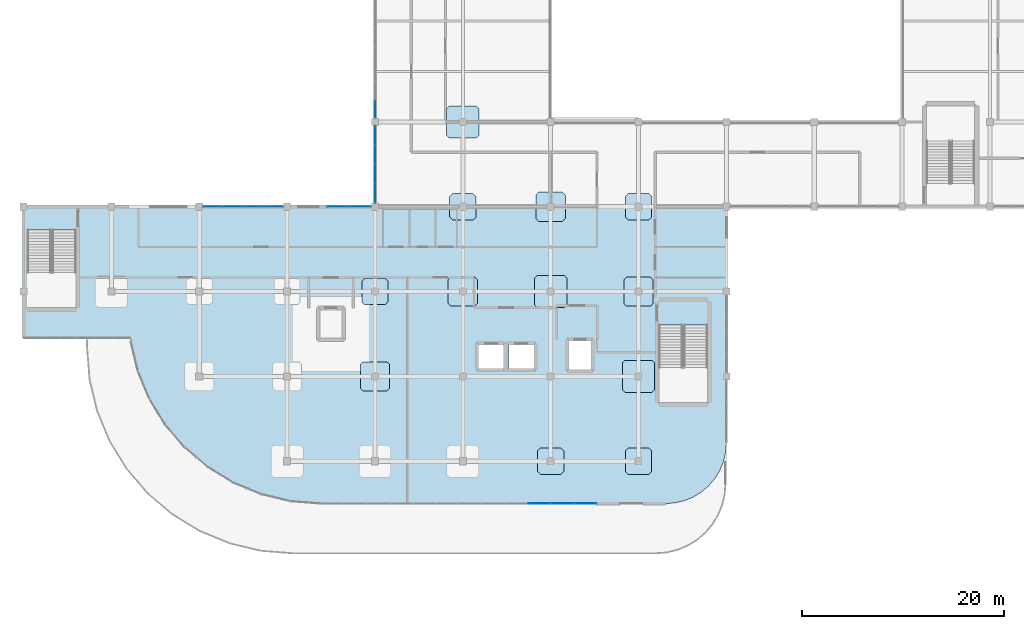
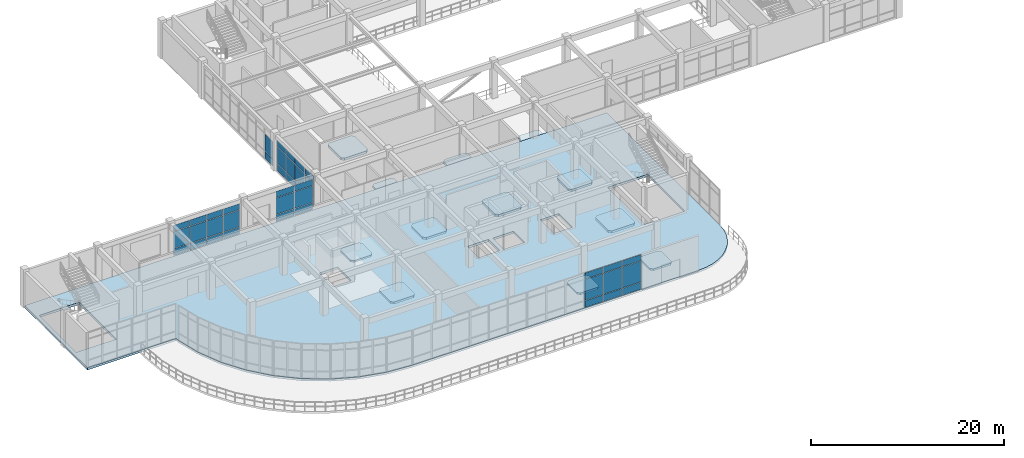
# One storey, part 53 of 76: 41 plates, 13 slabs, 5 elements without a shape of their own.
"""IFC4 building model written with IfcOpenShell, lengths in metres."""

from ifc_helpers import new_model, si_unit, derived_unit, direction, frame, origin, origin_2d, place, context, subcontext, project, spatial, polyline, rectangle, outline, extrude, material, layer, layer_set, type_object, element, aggregate, save


model = new_model("IFC4")

# Units and contexts
model_context = context("Model", 3, precision=1e-05, world=origin(), true_north=direction((0.0, 1.0)))
body_context = subcontext(model_context, "Body", "Model", "MODEL_VIEW")
ifc_project = project(units=[si_unit("LENGTHUNIT", "METRE"), si_unit("AREAUNIT", "SQUARE_METRE"), si_unit("VOLUMEUNIT", "CUBIC_METRE"), si_unit("PLANEANGLEUNIT", "RADIAN"), si_unit("MASSUNIT", "GRAM", prefix="KILO"), derived_unit("THERMALTRANSMITTANCEUNIT", [(si_unit("MASSUNIT", "GRAM", prefix="KILO"), 1), (si_unit("TIMEUNIT", "SECOND"), -3), (si_unit("THERMODYNAMICTEMPERATUREUNIT", "KELVIN"), -1)])], contexts=[model_context])

# Site, building, storey
site_placement = place(None, origin())
site = spatial("IfcSite", under=ifc_project, at=site_placement, CompositionType="ELEMENT")
building_placement = place(site_placement, origin())
building = spatial("IfcBuilding", under=site, at=building_placement, Name="Qinzheling Arcade Emporium", CompositionType="ELEMENT")
storey_placement = place(building_placement, frame((0.0, 0.0, 26.699951171875)))
storey = spatial("IfcBuildingStorey", under=building, at=storey_placement, Name="L06", CompositionType="ELEMENT", Elevation=26.699951171875)

# Slabs
ifc_material_1 = material(Name="Concrete C40", Category="concrete")
ifc_layer_1 = layer(ifc_material_1, 0.235107421875, Name="Concrete C40", Category="concrete")
ifc_layer_set_1 = layer_set([ifc_layer_1], Name="Concrete C40")
slab_type_1 = type_object("IfcSlabType", Name="Column Head Drop Panel 2600x2600x235 C40", PredefinedType="USERDEFINED", material=ifc_layer_set_1)
slab_1_placement = place(storey_placement, frame((0.0, 0.0, -0.514892578125)))
element("IfcSlab", 1, at=slab_1_placement, inside=storey, type_object=slab_type_1, Name="Column Drop Panel DP-L06-5-E", ObjectType="DROP_PANEL", PredefinedType="USERDEFINED", context=body_context, shape_type="SweptSolid", body=[
    extrude(outline(polyline([(33.780029296875, 32.300048828125), (35.820068359375, 32.300048828125), (36.10009765625, 32.580078125), (36.10009765625, 34.6201171875), (35.820068359375, 34.89990234375), (33.780029296875, 34.89990234375), (33.5, 34.6201171875), (33.5, 32.580078125), (33.780029296875, 32.300048828125)])), origin(), (0.0, 0.0, 1.0), 0.23486328125),
])
slab_2_placement = place(storey_placement, frame((0.0, 0.0, -0.514892578125)))
element("IfcSlab", 2, at=slab_2_placement, inside=storey, type_object=slab_type_1, Name="Column Drop Panel DP-L06-6-F", ObjectType="DROP_PANEL", PredefinedType="USERDEFINED", context=body_context, shape_type="SweptSolid", body=[
    extrude(outline(polyline([(42.47998046875, 40.699951171875), (44.52001953125, 40.699951171875), (44.800048828125, 40.97998046875), (44.800048828125, 43.02001953125), (44.52001953125, 43.300048828125), (42.47998046875, 43.300048828125), (42.199951171875, 43.02001953125), (42.199951171875, 40.97998046875), (42.47998046875, 40.699951171875)])), origin(), (0.0, 0.0, 1.0), 0.23486328125),
])
slab_3_placement = place(storey_placement, frame((0.0, 0.0, -0.514892578125)))
element("IfcSlab", 3, at=slab_3_placement, inside=storey, type_object=slab_type_1, Name="Column Drop Panel DP-L06-7-C", ObjectType="DROP_PANEL", PredefinedType="USERDEFINED", context=body_context, shape_type="SweptSolid", body=[
    extrude(outline(polyline([(51.179931640625, 15.5), (53.219970703125, 15.5), (53.5, 15.780029296875), (53.5, 17.820068359375), (53.219970703125, 18.10009765625), (51.179931640625, 18.10009765625), (50.89990234375, 17.820068359375), (50.89990234375, 15.780029296875), (51.179931640625, 15.5)])), origin(), (0.0, 0.0, 1.0), 0.23486328125),
])
slab_4_placement = place(storey_placement, frame((0.0, 0.0, -0.514892578125)))
element("IfcSlab", 4, at=slab_4_placement, inside=storey, type_object=slab_type_1, Name="Column Drop Panel DP-L06-8-C", ObjectType="DROP_PANEL", PredefinedType="USERDEFINED", context=body_context, shape_type="SweptSolid", body=[
    extrude(outline(polyline([(59.8798828125, 15.5), (61.919921875, 15.5), (62.199951171875, 15.780029296875), (62.199951171875, 17.820068359375), (61.919921875, 18.10009765625), (59.8798828125, 18.10009765625), (59.60009765625, 17.820068359375), (59.60009765625, 15.780029296875), (59.8798828125, 15.5)])), origin(), (0.0, 0.0, 1.0), 0.23486328125),
])
slab_5_placement = place(storey_placement, frame((0.0, 0.0, -0.514892578125)))
element("IfcSlab", 5, at=slab_5_placement, inside=storey, type_object=slab_type_1, Name="Column Drop Panel DP-L06-8-F", ObjectType="DROP_PANEL", PredefinedType="USERDEFINED", context=body_context, shape_type="SweptSolid", body=[
    extrude(outline(polyline([(59.8798828125, 40.699951171875), (61.919921875, 40.699951171875), (62.199951171875, 40.97998046875), (62.199951171875, 43.02001953125), (61.919921875, 43.300048828125), (59.8798828125, 43.300048828125), (59.60009765625, 43.02001953125), (59.60009765625, 40.97998046875), (59.8798828125, 40.699951171875)])), origin(), (0.0, 0.0, 1.0), 0.23486328125),
])
ifc_layer_2 = layer(ifc_material_1, 0.27001953125, Name="Concrete C40", Category="concrete")
ifc_layer_set_2 = layer_set([ifc_layer_2], Name="Concrete C40")
slab_type_2 = type_object("IfcSlabType", Name="Column Head Drop Panel 2900x2900x270 C40", PredefinedType="USERDEFINED", material=ifc_layer_set_2)
slab_6_placement = place(storey_placement, frame((0.0, 0.0, -0.550048828125)))
element("IfcSlab", 6, at=slab_6_placement, inside=storey, type_object=slab_type_2, Name="Column Drop Panel DP-L06-5-D", ObjectType="DROP_PANEL", PredefinedType="USERDEFINED", context=body_context, shape_type="SweptSolid", body=[
    extrude(outline(polyline([(33.6298828125, 23.75), (35.969970703125, 23.75), (36.25, 24.030029296875), (36.25, 26.3701171875), (35.969970703125, 26.64990234375), (33.6298828125, 26.64990234375), (33.35009765625, 26.3701171875), (33.35009765625, 24.030029296875), (33.6298828125, 23.75)])), origin(), (0.0, 0.0, 1.0), 0.27001953125),
])
slab_7_placement = place(storey_placement, frame((0.0, 0.0, -0.550048828125)))
element("IfcSlab", 7, at=slab_7_placement, inside=storey, type_object=slab_type_2, Name="Column Drop Panel DP-L06-6-E", ObjectType="DROP_PANEL", PredefinedType="USERDEFINED", context=body_context, shape_type="SweptSolid", body=[
    extrude(outline(polyline([(42.330078125, 32.14990234375), (44.669921875, 32.14990234375), (44.949951171875, 32.429931640625), (44.949951171875, 34.77001953125), (44.669921875, 35.050048828125), (42.330078125, 35.050048828125), (42.050048828125, 34.77001953125), (42.050048828125, 32.429931640625), (42.330078125, 32.14990234375)])), origin(), (0.0, 0.0, 1.0), 0.27001953125),
])
slab_8_placement = place(storey_placement, frame((0.0, 0.0, -0.550048828125)))
element("IfcSlab", 8, at=slab_8_placement, inside=storey, type_object=slab_type_2, Name="Column Drop Panel DP-L06-7-F", ObjectType="DROP_PANEL", PredefinedType="USERDEFINED", context=body_context, shape_type="SweptSolid", body=[
    extrude(outline(polyline([(51.030029296875, 40.550048828125), (53.3701171875, 40.550048828125), (53.64990234375, 40.830078125), (53.64990234375, 43.169921875), (53.3701171875, 43.449951171875), (51.030029296875, 43.449951171875), (50.75, 43.169921875), (50.75, 40.830078125), (51.030029296875, 40.550048828125)])), origin(), (0.0, 0.0, 1.0), 0.27001953125),
])
slab_9_placement = place(storey_placement, frame((0.0, 0.0, -0.550048828125)))
element("IfcSlab", 9, at=slab_9_placement, inside=storey, type_object=slab_type_2, Name="Column Drop Panel DP-L06-8-E", ObjectType="DROP_PANEL", PredefinedType="USERDEFINED", context=body_context, shape_type="SweptSolid", body=[
    extrude(outline(polyline([(59.72998046875, 32.14990234375), (62.070068359375, 32.14990234375), (62.35009765625, 32.429931640625), (62.35009765625, 34.77001953125), (62.070068359375, 35.050048828125), (59.72998046875, 35.050048828125), (59.449951171875, 34.77001953125), (59.449951171875, 32.429931640625), (59.72998046875, 32.14990234375)])), origin(), (0.0, 0.0, 1.0), 0.27001953125),
])
ifc_layer_3 = layer(ifc_material_1, 0.300048828125, Name="Concrete C40", Category="concrete")
ifc_layer_set_3 = layer_set([ifc_layer_3], Name="Concrete C40")
slab_type_3 = type_object("IfcSlabType", Name="Column Head Drop Panel 3200x3200x300 C40", PredefinedType="USERDEFINED", material=ifc_layer_set_3)
slab_10_placement = place(storey_placement, frame((0.0, 0.0, -0.579833984375)))
element("IfcSlab", 10, at=slab_10_placement, inside=storey, type_object=slab_type_3, Name="Column Drop Panel DP-L06-6-G", ObjectType="DROP_PANEL", PredefinedType="USERDEFINED", context=body_context, shape_type="SweptSolid", body=[
    extrude(outline(polyline([(42.179931640625, 48.800048828125), (44.820068359375, 48.800048828125), (45.10009765625, 49.080078125), (45.10009765625, 51.719970703125), (44.820068359375, 52.0), (42.179931640625, 52.0), (41.89990234375, 51.719970703125), (41.89990234375, 49.080078125), (42.179931640625, 48.800048828125)])), origin(), (0.0, 0.0, 1.0), 0.2998046875),
])
slab_11_placement = place(storey_placement, frame((0.0, 0.0, -0.579833984375)))
element("IfcSlab", 11, at=slab_11_placement, inside=storey, type_object=slab_type_3, Name="Column Drop Panel DP-L06-7-E", ObjectType="DROP_PANEL", PredefinedType="USERDEFINED", context=body_context, shape_type="SweptSolid", body=[
    extrude(outline(polyline([(50.8798828125, 32.0), (53.52001953125, 32.0), (53.800048828125, 32.280029296875), (53.800048828125, 34.919921875), (53.52001953125, 35.199951171875), (50.8798828125, 35.199951171875), (50.60009765625, 34.919921875), (50.60009765625, 32.280029296875), (50.8798828125, 32.0)])), origin(), (0.0, 0.0, 1.0), 0.2998046875),
])
slab_12_placement = place(storey_placement, frame((0.0, 0.0, -0.579833984375)))
element("IfcSlab", 12, at=slab_12_placement, inside=storey, type_object=slab_type_3, Name="Column Drop Panel DP-L06-8-D", ObjectType="DROP_PANEL", PredefinedType="USERDEFINED", context=body_context, shape_type="SweptSolid", body=[
    extrude(outline(polyline([(59.580078125, 23.60009765625), (62.219970703125, 23.60009765625), (62.5, 23.8798828125), (62.5, 26.52001953125), (62.219970703125, 26.800048828125), (59.580078125, 26.800048828125), (59.300048828125, 26.52001953125), (59.300048828125, 23.8798828125), (59.580078125, 23.60009765625)])), origin(), (0.0, 0.0, 1.0), 0.2998046875),
])

# Curtain wall, plates
ifc_material_2 = material(Name="Anodised aluminium and solar-control double glazing", Category="aluminium")
ifc_layer_4 = layer(ifc_material_2, 0.159912109375, Name="Anodised aluminium and solar-control double glazing", Category="aluminium")
ifc_layer_set_4 = layer_set([ifc_layer_4], Name="Anodised aluminium and solar-control double glazing")
curtain_wall_type_1 = type_object("IfcCurtainWallType", Name="Atrium Clerestory Curtain Wall", PredefinedType="NOTDEFINED", material=ifc_layer_set_4)
curtain_wall_1_placement = place(storey_placement, origin())
curtain_wall_1 = element("IfcCurtainWall", 13, at=curtain_wall_1_placement, inside=storey, type_object=curtain_wall_type_1, Name="Curtain Wall CW-L06-363", PredefinedType="NOTDEFINED")
ifc_material_3 = material(Name="Laminated solar-control double glazing", Category="glass")
ifc_layer_5 = layer(ifc_material_3, 0.02099609375, Name="Laminated solar-control double glazing", Category="glass")
ifc_layer_set_5 = layer_set([ifc_layer_5], Name="Laminated solar-control double glazing")
plate_type_1 = type_object("IfcPlateType", Name="Low-E Double Glazed Curtain Panel 21mm", PredefinedType="CURTAIN_PANEL", material=ifc_layer_set_5)
plate_1_placement = place(storey_placement, frame((34.800048828125, 43.3291015625, 0.06005859375), z_axis=(0.0, 0.0, 1.0), x_axis=(0.0, 1.0, 0.0)))
plate_1 = element("IfcPlate", 14, at=plate_1_placement, type_object=plate_type_1, Name="CW03 panel 1.1", PredefinedType="CURTAIN_PANEL", context=body_context, shape_type="SweptSolid", body=[
    extrude(rectangle(XDim=1.833984375, YDim=0.02099609375, at=origin_2d()), origin(), (0.0, 0.0, 1.0), 0.860107421875),
])
plate_2_placement = place(storey_placement, frame((34.800048828125, 43.3291015625, 0.97998046875), z_axis=(0.0, 0.0, 1.0), x_axis=(0.0, 1.0, 0.0)))
plate_2 = element("IfcPlate", 15, at=plate_2_placement, type_object=plate_type_1, Name="CW03 panel 1.2", PredefinedType="CURTAIN_PANEL", context=body_context, shape_type="SweptSolid", body=[
    extrude(rectangle(XDim=1.833984375, YDim=0.02099609375, at=origin_2d()), origin(), (0.0, 0.0, 1.0), 2.094970703125),
])
plate_3_placement = place(storey_placement, frame((34.800048828125, 43.3291015625, 3.13525390625), z_axis=(0.0, 0.0, 1.0), x_axis=(0.0, 1.0, 0.0)))
plate_3 = element("IfcPlate", 16, at=plate_3_placement, type_object=plate_type_1, Name="CW03 panel 1.3", PredefinedType="CURTAIN_PANEL", context=body_context, shape_type="SweptSolid", body=[
    extrude(rectangle(XDim=1.833984375, YDim=0.02099609375, at=origin_2d()), origin(), (0.0, 0.0, 1.0), 0.760009765625),
])
plate_4_placement = place(storey_placement, frame((34.800048828125, 45.238037109375, 0.06005859375), z_axis=(0.0, 0.0, 1.0), x_axis=(0.0, 1.0, 0.0)))
plate_4 = element("IfcPlate", 17, at=plate_4_placement, type_object=plate_type_1, Name="CW03 panel 2.1", PredefinedType="CURTAIN_PANEL", context=body_context, shape_type="SweptSolid", body=[
    extrude(rectangle(XDim=1.864013671875, YDim=0.02099609375, at=origin_2d()), origin(), (0.0, 0.0, 1.0), 0.860107421875),
])
plate_5_placement = place(storey_placement, frame((34.800048828125, 45.238037109375, 0.97998046875), z_axis=(0.0, 0.0, 1.0), x_axis=(0.0, 1.0, 0.0)))
plate_5 = element("IfcPlate", 18, at=plate_5_placement, type_object=plate_type_1, Name="CW03 panel 2.2", PredefinedType="CURTAIN_PANEL", context=body_context, shape_type="SweptSolid", body=[
    extrude(rectangle(XDim=1.864013671875, YDim=0.02099609375, at=origin_2d()), origin(), (0.0, 0.0, 1.0), 2.094970703125),
])
plate_6_placement = place(storey_placement, frame((34.800048828125, 45.238037109375, 3.13525390625), z_axis=(0.0, 0.0, 1.0), x_axis=(0.0, 1.0, 0.0)))
plate_6 = element("IfcPlate", 19, at=plate_6_placement, type_object=plate_type_1, Name="CW03 panel 2.3", PredefinedType="CURTAIN_PANEL", context=body_context, shape_type="SweptSolid", body=[
    extrude(rectangle(XDim=1.864013671875, YDim=0.02099609375, at=origin_2d()), origin(), (0.0, 0.0, 1.0), 0.760009765625),
])
plate_7_placement = place(storey_placement, frame((34.800048828125, 47.162109375, 0.06005859375), z_axis=(0.0, 0.0, 1.0), x_axis=(0.0, 1.0, 0.0)))
plate_7 = element("IfcPlate", 20, at=plate_7_placement, type_object=plate_type_1, Name="CW03 panel 3.1", PredefinedType="CURTAIN_PANEL", context=body_context, shape_type="SweptSolid", body=[
    extrude(rectangle(XDim=1.864013671875, YDim=0.02099609375, at=origin_2d()), origin(), (0.0, 0.0, 1.0), 0.860107421875),
])
plate_8_placement = place(storey_placement, frame((34.800048828125, 47.162109375, 0.97998046875), z_axis=(0.0, 0.0, 1.0), x_axis=(0.0, 1.0, 0.0)))
plate_8 = element("IfcPlate", 21, at=plate_8_placement, type_object=plate_type_1, Name="CW03 panel 3.2", PredefinedType="CURTAIN_PANEL", context=body_context, shape_type="SweptSolid", body=[
    extrude(rectangle(XDim=1.864013671875, YDim=0.02099609375, at=origin_2d()), origin(), (0.0, 0.0, 1.0), 2.094970703125),
])
plate_9_placement = place(storey_placement, frame((34.800048828125, 47.162109375, 3.13525390625), z_axis=(0.0, 0.0, 1.0), x_axis=(0.0, 1.0, 0.0)))
plate_9 = element("IfcPlate", 22, at=plate_9_placement, type_object=plate_type_1, Name="CW03 panel 3.3", PredefinedType="CURTAIN_PANEL", context=body_context, shape_type="SweptSolid", body=[
    extrude(rectangle(XDim=1.864013671875, YDim=0.02099609375, at=origin_2d()), origin(), (0.0, 0.0, 1.0), 0.760009765625),
])
plate_10_placement = place(storey_placement, frame((34.800048828125, 49.071044921875, 0.06005859375), z_axis=(0.0, 0.0, 1.0), x_axis=(0.0, 1.0, 0.0)))
plate_10 = element("IfcPlate", 23, at=plate_10_placement, type_object=plate_type_1, Name="CW03 panel 4.1", PredefinedType="CURTAIN_PANEL", context=body_context, shape_type="SweptSolid", body=[
    extrude(rectangle(XDim=1.833984375, YDim=0.02099609375, at=origin_2d()), origin(), (0.0, 0.0, 1.0), 0.860107421875),
])
plate_11_placement = place(storey_placement, frame((34.800048828125, 49.071044921875, 0.97998046875), z_axis=(0.0, 0.0, 1.0), x_axis=(0.0, 1.0, 0.0)))
plate_11 = element("IfcPlate", 24, at=plate_11_placement, type_object=plate_type_1, Name="CW03 panel 4.2", PredefinedType="CURTAIN_PANEL", context=body_context, shape_type="SweptSolid", body=[
    extrude(rectangle(XDim=1.833984375, YDim=0.02099609375, at=origin_2d()), origin(), (0.0, 0.0, 1.0), 2.094970703125),
])
plate_12_placement = place(storey_placement, frame((34.800048828125, 49.071044921875, 3.13525390625), z_axis=(0.0, 0.0, 1.0), x_axis=(0.0, 1.0, 0.0)))
plate_12 = element("IfcPlate", 25, at=plate_12_placement, type_object=plate_type_1, Name="CW03 panel 4.3", PredefinedType="CURTAIN_PANEL", context=body_context, shape_type="SweptSolid", body=[
    extrude(rectangle(XDim=1.833984375, YDim=0.02099609375, at=origin_2d()), origin(), (0.0, 0.0, 1.0), 0.760009765625),
])
aggregate(curtain_wall_1, [plate_1, plate_2, plate_3, plate_4, plate_5, plate_6, plate_7, plate_8, plate_9, plate_10, plate_11, plate_12])

curtain_wall_2_placement = place(storey_placement, origin())
curtain_wall_2 = element("IfcCurtainWall", 26, at=curtain_wall_2_placement, inside=storey, type_object=curtain_wall_type_1, Name="Curtain Wall CW-L06-364", PredefinedType="NOTDEFINED")
ifc_layer_6 = layer(ifc_material_3, 0.02197265625, Name="Laminated solar-control double glazing", Category="glass")
ifc_layer_set_6 = layer_set([ifc_layer_6], Name="Laminated solar-control double glazing")
plate_type_2 = type_object("IfcPlateType", Name="Low-E Double Glazed Curtain Panel 22mm", PredefinedType="CURTAIN_PANEL", material=ifc_layer_set_6)
plate_13_placement = place(storey_placement, frame((34.800048828125, 51.66015625, 0.06005859375), z_axis=(0.0, 0.0, 1.0), x_axis=(0.0, 1.0, 0.0)))
plate_13 = element("IfcPlate", 27, at=plate_13_placement, type_object=plate_type_2, Name="CW03 panel 1.1", PredefinedType="CURTAIN_PANEL", context=body_context, shape_type="SweptSolid", body=[
    extrude(rectangle(XDim=1.696533203125, YDim=0.02197265625, at=origin_2d()), origin(), (0.0, 0.0, 1.0), 0.860107421875),
])
plate_14_placement = place(storey_placement, frame((34.800048828125, 51.66015625, 0.97998046875), z_axis=(0.0, 0.0, 1.0), x_axis=(0.0, 1.0, 0.0)))
plate_14 = element("IfcPlate", 28, at=plate_14_placement, type_object=plate_type_2, Name="CW03 panel 1.2", PredefinedType="CURTAIN_PANEL", context=body_context, shape_type="SweptSolid", body=[
    extrude(rectangle(XDim=1.696533203125, YDim=0.02197265625, at=origin_2d()), origin(), (0.0, 0.0, 1.0), 2.156982421875),
])
aggregate(curtain_wall_2, [plate_13, plate_14])

curtain_wall_3_placement = place(storey_placement, origin())
curtain_wall_3 = element("IfcCurtainWall", 29, at=curtain_wall_3_placement, inside=storey, type_object=curtain_wall_type_1, Name="Curtain Wall CW-L06-361", PredefinedType="NOTDEFINED")
ifc_layer_7 = layer(ifc_material_3, 0.0400390625, Name="Laminated solar-control double glazing", Category="glass")
ifc_layer_set_7 = layer_set([ifc_layer_7], Name="Laminated solar-control double glazing")
plate_type_3 = type_object("IfcPlateType", Name="Low-E Double Glazed Curtain Panel 40mm", PredefinedType="CURTAIN_PANEL", material=ifc_layer_set_7)
plate_15_placement = place(storey_placement, frame((18.7666015625, 42.0, 0.06005859375), z_axis=(0.0, 0.0, 1.0), x_axis=(1.0, 0.0, 0.0)))
plate_15 = element("IfcPlate", 30, at=plate_15_placement, type_object=plate_type_3, Name="CW03 panel 1.1", PredefinedType="CURTAIN_PANEL", context=body_context, shape_type="SweptSolid", body=[
    extrude(rectangle(XDim=1.908935546875, YDim=0.0400390625, at=origin_2d()), origin(), (0.0, 0.0, 1.0), 0.860107421875),
])
plate_16_placement = place(storey_placement, frame((18.7666015625, 42.0, 0.97998046875), z_axis=(0.0, 0.0, 1.0), x_axis=(1.0, 0.0, 0.0)))
plate_16 = element("IfcPlate", 31, at=plate_16_placement, type_object=plate_type_3, Name="CW03 panel 1.2", PredefinedType="CURTAIN_PANEL", context=body_context, shape_type="SweptSolid", body=[
    extrude(rectangle(XDim=1.908935546875, YDim=0.0400390625, at=origin_2d()), origin(), (0.0, 0.0, 1.0), 2.094970703125),
])
plate_17_placement = place(storey_placement, frame((18.7666015625, 42.0, 3.13525390625), z_axis=(0.0, 0.0, 1.0), x_axis=(1.0, 0.0, 0.0)))
plate_17 = element("IfcPlate", 32, at=plate_17_placement, type_object=plate_type_3, Name="CW03 panel 1.3", PredefinedType="CURTAIN_PANEL", context=body_context, shape_type="SweptSolid", body=[
    extrude(rectangle(XDim=1.908935546875, YDim=0.0400390625, at=origin_2d()), origin(), (0.0, 0.0, 1.0), 0.760009765625),
])
plate_18_placement = place(storey_placement, frame((20.75048828125, 42.0, 0.06005859375), z_axis=(0.0, 0.0, 1.0), x_axis=(1.0, 0.0, 0.0)))
plate_18 = element("IfcPlate", 33, at=plate_18_placement, type_object=plate_type_3, Name="CW03 panel 2.1", PredefinedType="CURTAIN_PANEL", context=body_context, shape_type="SweptSolid", body=[
    extrude(rectangle(XDim=1.93896484375, YDim=0.0400390625, at=origin_2d()), origin(), (0.0, 0.0, 1.0), 0.860107421875),
])
plate_19_placement = place(storey_placement, frame((20.75048828125, 42.0, 0.97998046875), z_axis=(0.0, 0.0, 1.0), x_axis=(1.0, 0.0, 0.0)))
plate_19 = element("IfcPlate", 34, at=plate_19_placement, type_object=plate_type_3, Name="CW03 panel 2.2", PredefinedType="CURTAIN_PANEL", context=body_context, shape_type="SweptSolid", body=[
    extrude(rectangle(XDim=1.93896484375, YDim=0.0400390625, at=origin_2d()), origin(), (0.0, 0.0, 1.0), 2.094970703125),
])
plate_20_placement = place(storey_placement, frame((20.75048828125, 42.0, 3.13525390625), z_axis=(0.0, 0.0, 1.0), x_axis=(1.0, 0.0, 0.0)))
plate_20 = element("IfcPlate", 35, at=plate_20_placement, type_object=plate_type_3, Name="CW03 panel 2.3", PredefinedType="CURTAIN_PANEL", context=body_context, shape_type="SweptSolid", body=[
    extrude(rectangle(XDim=1.93896484375, YDim=0.0400390625, at=origin_2d()), origin(), (0.0, 0.0, 1.0), 0.760009765625),
])
plate_21_placement = place(storey_placement, frame((22.74951171875, 42.0, 0.06005859375), z_axis=(0.0, 0.0, 1.0), x_axis=(1.0, 0.0, 0.0)))
plate_21 = element("IfcPlate", 36, at=plate_21_placement, type_object=plate_type_3, Name="CW03 panel 3.1", PredefinedType="CURTAIN_PANEL", context=body_context, shape_type="SweptSolid", body=[
    extrude(rectangle(XDim=1.93896484375, YDim=0.0400390625, at=origin_2d()), origin(), (0.0, 0.0, 1.0), 0.860107421875),
])
plate_22_placement = place(storey_placement, frame((22.74951171875, 42.0, 0.97998046875), z_axis=(0.0, 0.0, 1.0), x_axis=(1.0, 0.0, 0.0)))
plate_22 = element("IfcPlate", 37, at=plate_22_placement, type_object=plate_type_3, Name="CW03 panel 3.2", PredefinedType="CURTAIN_PANEL", context=body_context, shape_type="SweptSolid", body=[
    extrude(rectangle(XDim=1.93896484375, YDim=0.0400390625, at=origin_2d()), origin(), (0.0, 0.0, 1.0), 2.094970703125),
])
plate_23_placement = place(storey_placement, frame((22.74951171875, 42.0, 3.13525390625), z_axis=(0.0, 0.0, 1.0), x_axis=(1.0, 0.0, 0.0)))
plate_23 = element("IfcPlate", 38, at=plate_23_placement, type_object=plate_type_3, Name="CW03 panel 3.3", PredefinedType="CURTAIN_PANEL", context=body_context, shape_type="SweptSolid", body=[
    extrude(rectangle(XDim=1.93896484375, YDim=0.0400390625, at=origin_2d()), origin(), (0.0, 0.0, 1.0), 0.760009765625),
])
plate_24_placement = place(storey_placement, frame((24.7333984375, 42.0, 0.06005859375), z_axis=(0.0, 0.0, 1.0), x_axis=(1.0, 0.0, 0.0)))
plate_24 = element("IfcPlate", 39, at=plate_24_placement, type_object=plate_type_3, Name="CW03 panel 4.1", PredefinedType="CURTAIN_PANEL", context=body_context, shape_type="SweptSolid", body=[
    extrude(rectangle(XDim=1.908935546875, YDim=0.0400390625, at=origin_2d()), origin(), (0.0, 0.0, 1.0), 0.860107421875),
])
plate_25_placement = place(storey_placement, frame((24.7333984375, 42.0, 0.97998046875), z_axis=(0.0, 0.0, 1.0), x_axis=(1.0, 0.0, 0.0)))
plate_25 = element("IfcPlate", 40, at=plate_25_placement, type_object=plate_type_3, Name="CW03 panel 4.2", PredefinedType="CURTAIN_PANEL", context=body_context, shape_type="SweptSolid", body=[
    extrude(rectangle(XDim=1.908935546875, YDim=0.0400390625, at=origin_2d()), origin(), (0.0, 0.0, 1.0), 2.094970703125),
])
plate_26_placement = place(storey_placement, frame((24.7333984375, 42.0, 3.13525390625), z_axis=(0.0, 0.0, 1.0), x_axis=(1.0, 0.0, 0.0)))
plate_26 = element("IfcPlate", 41, at=plate_26_placement, type_object=plate_type_3, Name="CW03 panel 4.3", PredefinedType="CURTAIN_PANEL", context=body_context, shape_type="SweptSolid", body=[
    extrude(rectangle(XDim=1.908935546875, YDim=0.0400390625, at=origin_2d()), origin(), (0.0, 0.0, 1.0), 0.760009765625),
])
aggregate(curtain_wall_3, [plate_15, plate_16, plate_17, plate_18, plate_19, plate_20, plate_21, plate_22, plate_23, plate_24, plate_25, plate_26])

ifc_layer_8 = layer(ifc_material_2, 0.159912109375, Name="Anodised aluminium and solar-control double glazing", Category="aluminium")
ifc_layer_set_8 = layer_set([ifc_layer_8], Name="Anodised aluminium and solar-control double glazing")
curtain_wall_type_2 = type_object("IfcCurtainWallType", Name="Arcade Portal Glazed Curtain Wall", PredefinedType="NOTDEFINED", material=ifc_layer_set_8)
curtain_wall_4_placement = place(storey_placement, origin())
curtain_wall_4 = element("IfcCurtainWall", 42, at=curtain_wall_4_placement, inside=storey, type_object=curtain_wall_type_2, Name="Curtain Wall CW-L06-346", PredefinedType="NOTDEFINED")
ifc_layer_9 = layer(ifc_material_3, 0.0419921875, Name="Laminated solar-control double glazing", Category="glass")
ifc_layer_set_9 = layer_set([ifc_layer_9], Name="Laminated solar-control double glazing")
plate_type_4 = type_object("IfcPlateType", Name="Low-E Double Glazed Curtain Panel 42mm", PredefinedType="CURTAIN_PANEL", material=ifc_layer_set_9)
plate_27_placement = place(storey_placement, frame((55.603759765625, 12.60009765625, 0.06005859375), z_axis=(0.0, 0.0, 1.0), x_axis=(-1.0, 0.0, 0.0)))
plate_27 = element("IfcPlate", 43, at=plate_27_placement, type_object=plate_type_4, Name="CW05 panel 1.1", PredefinedType="CURTAIN_PANEL", context=body_context, shape_type="SweptSolid", body=[
    extrude(rectangle(XDim=2.188720703125, YDim=0.0419921875, at=origin_2d()), origin(), (0.0, 0.0, 1.0), 0.860107421875),
])
plate_28_placement = place(storey_placement, frame((55.603759765625, 12.60009765625, 0.980224609375), z_axis=(0.0, 0.0, 1.0), x_axis=(-1.0, 0.0, 0.0)))
plate_28 = element("IfcPlate", 44, at=plate_28_placement, type_object=plate_type_4, Name="CW05 panel 1.2", PredefinedType="CURTAIN_PANEL", context=body_context, shape_type="SweptSolid", body=[
    extrude(rectangle(XDim=2.188720703125, YDim=0.0419921875, at=origin_2d()), origin(), (0.0, 0.0, 1.0), 2.6298828125),
])
plate_29_placement = place(storey_placement, frame((55.603759765625, 12.60009765625, 3.669921875), z_axis=(0.0, 0.0, 1.0), x_axis=(-1.0, 0.0, 0.0)))
plate_29 = element("IfcPlate", 45, at=plate_29_placement, type_object=plate_type_4, Name="CW05 panel 1.3", PredefinedType="CURTAIN_PANEL", context=body_context, shape_type="SweptSolid", body=[
    extrude(rectangle(XDim=2.188720703125, YDim=0.0419921875, at=origin_2d()), origin(), (0.0, 0.0, 1.0), 0.760009765625),
])
plate_30_placement = place(storey_placement, frame((53.340087890625, 12.60009765625, 0.06005859375), z_axis=(0.0, 0.0, 1.0), x_axis=(-1.0, 0.0, 0.0)))
plate_30 = element("IfcPlate", 46, at=plate_30_placement, type_object=plate_type_4, Name="CW05 panel 2.1", PredefinedType="CURTAIN_PANEL", context=body_context, shape_type="SweptSolid", body=[
    extrude(rectangle(XDim=2.21875, YDim=0.0419921875, at=origin_2d()), origin(), (0.0, 0.0, 1.0), 0.860107421875),
])
plate_31_placement = place(storey_placement, frame((53.340087890625, 12.60009765625, 0.980224609375), z_axis=(0.0, 0.0, 1.0), x_axis=(-1.0, 0.0, 0.0)))
plate_31 = element("IfcPlate", 47, at=plate_31_placement, type_object=plate_type_4, Name="CW05 panel 2.2", PredefinedType="CURTAIN_PANEL", context=body_context, shape_type="SweptSolid", body=[
    extrude(rectangle(XDim=2.21875, YDim=0.0419921875, at=origin_2d()), origin(), (0.0, 0.0, 1.0), 2.6298828125),
])
plate_32_placement = place(storey_placement, frame((53.340087890625, 12.60009765625, 3.669921875), z_axis=(0.0, 0.0, 1.0), x_axis=(-1.0, 0.0, 0.0)))
plate_32 = element("IfcPlate", 48, at=plate_32_placement, type_object=plate_type_4, Name="CW05 panel 2.3", PredefinedType="CURTAIN_PANEL", context=body_context, shape_type="SweptSolid", body=[
    extrude(rectangle(XDim=2.21875, YDim=0.0419921875, at=origin_2d()), origin(), (0.0, 0.0, 1.0), 0.760009765625),
])
plate_33_placement = place(storey_placement, frame((51.076416015625, 12.60009765625, 0.06005859375), z_axis=(0.0, 0.0, 1.0), x_axis=(-1.0, 0.0, 0.0)))
plate_33 = element("IfcPlate", 49, at=plate_33_placement, type_object=plate_type_4, Name="CW05 panel 3.1", PredefinedType="CURTAIN_PANEL", context=body_context, shape_type="SweptSolid", body=[
    extrude(rectangle(XDim=2.188720703125, YDim=0.0419921875, at=origin_2d()), origin(), (0.0, 0.0, 1.0), 0.860107421875),
])
plate_34_placement = place(storey_placement, frame((51.076416015625, 12.60009765625, 0.980224609375), z_axis=(0.0, 0.0, 1.0), x_axis=(-1.0, 0.0, 0.0)))
plate_34 = element("IfcPlate", 50, at=plate_34_placement, type_object=plate_type_4, Name="CW05 panel 3.2", PredefinedType="CURTAIN_PANEL", context=body_context, shape_type="SweptSolid", body=[
    extrude(rectangle(XDim=2.188720703125, YDim=0.0419921875, at=origin_2d()), origin(), (0.0, 0.0, 1.0), 2.6298828125),
])
plate_35_placement = place(storey_placement, frame((51.076416015625, 12.60009765625, 3.669921875), z_axis=(0.0, 0.0, 1.0), x_axis=(-1.0, 0.0, 0.0)))
plate_35 = element("IfcPlate", 51, at=plate_35_placement, type_object=plate_type_4, Name="CW05 panel 3.3", PredefinedType="CURTAIN_PANEL", context=body_context, shape_type="SweptSolid", body=[
    extrude(rectangle(XDim=2.188720703125, YDim=0.0419921875, at=origin_2d()), origin(), (0.0, 0.0, 1.0), 0.760009765625),
])
aggregate(curtain_wall_4, [plate_27, plate_28, plate_29, plate_30, plate_31, plate_32, plate_33, plate_34, plate_35])

curtain_wall_5_placement = place(storey_placement, origin())
curtain_wall_5 = element("IfcCurtainWall", 52, at=curtain_wall_5_placement, inside=storey, type_object=curtain_wall_type_1, Name="Curtain Wall CW-L06-362", PredefinedType="NOTDEFINED")
plate_36_placement = place(storey_placement, frame((31.126953125, 42.0, 0.06005859375), z_axis=(0.0, 0.0, 1.0), x_axis=(1.0, 0.0, 0.0)))
plate_36 = element("IfcPlate", 53, at=plate_36_placement, type_object=plate_type_4, Name="CW03 panel 1.1", PredefinedType="CURTAIN_PANEL", context=body_context, shape_type="SweptSolid", body=[
    extrude(rectangle(XDim=2.134033203125, YDim=0.0419921875, at=origin_2d()), origin(), (0.0, 0.0, 1.0), 0.860107421875),
])
plate_37_placement = place(storey_placement, frame((31.126953125, 42.0, 0.97998046875), z_axis=(0.0, 0.0, 1.0), x_axis=(1.0, 0.0, 0.0)))
plate_37 = element("IfcPlate", 54, at=plate_37_placement, type_object=plate_type_4, Name="CW03 panel 1.2", PredefinedType="CURTAIN_PANEL", context=body_context, shape_type="SweptSolid", body=[
    extrude(rectangle(XDim=2.134033203125, YDim=0.0419921875, at=origin_2d()), origin(), (0.0, 0.0, 1.0), 2.094970703125),
])
plate_38_placement = place(storey_placement, frame((31.126953125, 42.0, 3.13525390625), z_axis=(0.0, 0.0, 1.0), x_axis=(1.0, 0.0, 0.0)))
plate_38 = element("IfcPlate", 55, at=plate_38_placement, type_object=plate_type_4, Name="CW03 panel 1.3", PredefinedType="CURTAIN_PANEL", context=body_context, shape_type="SweptSolid", body=[
    extrude(rectangle(XDim=2.134033203125, YDim=0.0419921875, at=origin_2d()), origin(), (0.0, 0.0, 1.0), 0.760009765625),
])
plate_39_placement = place(storey_placement, frame((33.321044921875, 42.0, 0.06005859375), z_axis=(0.0, 0.0, 1.0), x_axis=(1.0, 0.0, 0.0)))
plate_39 = element("IfcPlate", 56, at=plate_39_placement, type_object=plate_type_4, Name="CW03 panel 2.1", PredefinedType="CURTAIN_PANEL", context=body_context, shape_type="SweptSolid", body=[
    extrude(rectangle(XDim=2.134033203125, YDim=0.0419921875, at=origin_2d()), origin(), (0.0, 0.0, 1.0), 0.860107421875),
])
plate_40_placement = place(storey_placement, frame((33.321044921875, 42.0, 0.97998046875), z_axis=(0.0, 0.0, 1.0), x_axis=(1.0, 0.0, 0.0)))
plate_40 = element("IfcPlate", 57, at=plate_40_placement, type_object=plate_type_4, Name="CW03 panel 2.2", PredefinedType="CURTAIN_PANEL", context=body_context, shape_type="SweptSolid", body=[
    extrude(rectangle(XDim=2.134033203125, YDim=0.0419921875, at=origin_2d()), origin(), (0.0, 0.0, 1.0), 2.094970703125),
])
plate_41_placement = place(storey_placement, frame((33.321044921875, 42.0, 3.13525390625), z_axis=(0.0, 0.0, 1.0), x_axis=(1.0, 0.0, 0.0)))
plate_41 = element("IfcPlate", 58, at=plate_41_placement, type_object=plate_type_4, Name="CW03 panel 2.3", PredefinedType="CURTAIN_PANEL", context=body_context, shape_type="SweptSolid", body=[
    extrude(rectangle(XDim=2.134033203125, YDim=0.0419921875, at=origin_2d()), origin(), (0.0, 0.0, 1.0), 0.760009765625),
])
aggregate(curtain_wall_5, [plate_36, plate_37, plate_38, plate_39, plate_40, plate_41])

# Slab
ifc_layer_10 = layer(ifc_material_1, 0.280029296875, Name="Concrete C40", Category="concrete")
ifc_layer_set_10 = layer_set([ifc_layer_10], Name="Concrete C40")
slab_type_4 = type_object("IfcSlabType", Name="Retail Two-Way Flat Slab 280 C40", PredefinedType="FLOOR", material=ifc_layer_set_10)
slab_13_placement = place(storey_placement, frame((0.0, 0.0, -0.280029296875)))
element("IfcSlab", 59, at=slab_13_placement, inside=storey, type_object=slab_type_4, Name="Floor Slab SLB-L06-V1", PredefinedType="FLOOR", context=body_context, shape_type="SweptSolid", body=[
    extrude(outline(polyline([(30.0, 42.0), (10.39990234375, 42.0), (0.0, 42.0), (0.0, 29.0), (10.60498046875, 29.0), (10.634033203125, 28.6279296875), (11.330078125, 25.72900390625), (12.470947265625, 22.97412109375), (14.029052734375, 20.431884765625), (15.965087890625, 18.1650390625), (18.23193359375, 16.22900390625), (20.77392578125, 14.6708984375), (23.529052734375, 13.530029296875), (26.427978515625, 12.833984375), (29.39990234375, 12.60009765625), (63.60009765625, 12.60009765625), (64.5390625, 12.674072265625), (65.4541015625, 12.89404296875), (66.323974609375, 13.25390625), (67.126953125, 13.74609375), (67.843017578125, 14.35693359375), (68.4541015625, 15.072998046875), (68.946044921875, 15.8759765625), (69.305908203125, 16.74609375), (69.52587890625, 17.660888671875), (69.60009765625, 18.60009765625), (69.60009765625, 42.0), (30.0, 42.0)]), holes=[polyline([(67.739990234375, 30.27490234375), (67.739990234375, 22.60009765625), (62.949951171875, 22.60009765625), (62.949951171875, 30.27490234375), (67.739990234375, 30.27490234375)]), polyline([(56.199951171875, 25.89990234375), (54.0, 25.89990234375), (54.0, 28.699951171875), (56.199951171875, 28.699951171875), (56.199951171875, 25.89990234375)]), polyline([(50.550048828125, 26.0), (48.050048828125, 26.0), (48.050048828125, 28.300048828125), (50.550048828125, 28.300048828125), (50.550048828125, 26.0)]), polyline([(47.550048828125, 28.300048828125), (47.550048828125, 26.0), (45.050048828125, 26.0), (45.050048828125, 28.300048828125), (47.550048828125, 28.300048828125)]), polyline([(31.550048828125, 29.0), (29.35009765625, 29.0), (29.35009765625, 31.800048828125), (31.550048828125, 31.800048828125), (31.550048828125, 29.0)]), polyline([(5.18994140625, 32.0), (0.39990234375, 32.0), (0.39990234375, 39.675048828125), (5.18994140625, 39.675048828125), (5.18994140625, 32.0)])]), origin(), (0.0, 0.0, 1.0), 0.280029296875),
])

save(model, "model.ifc")
